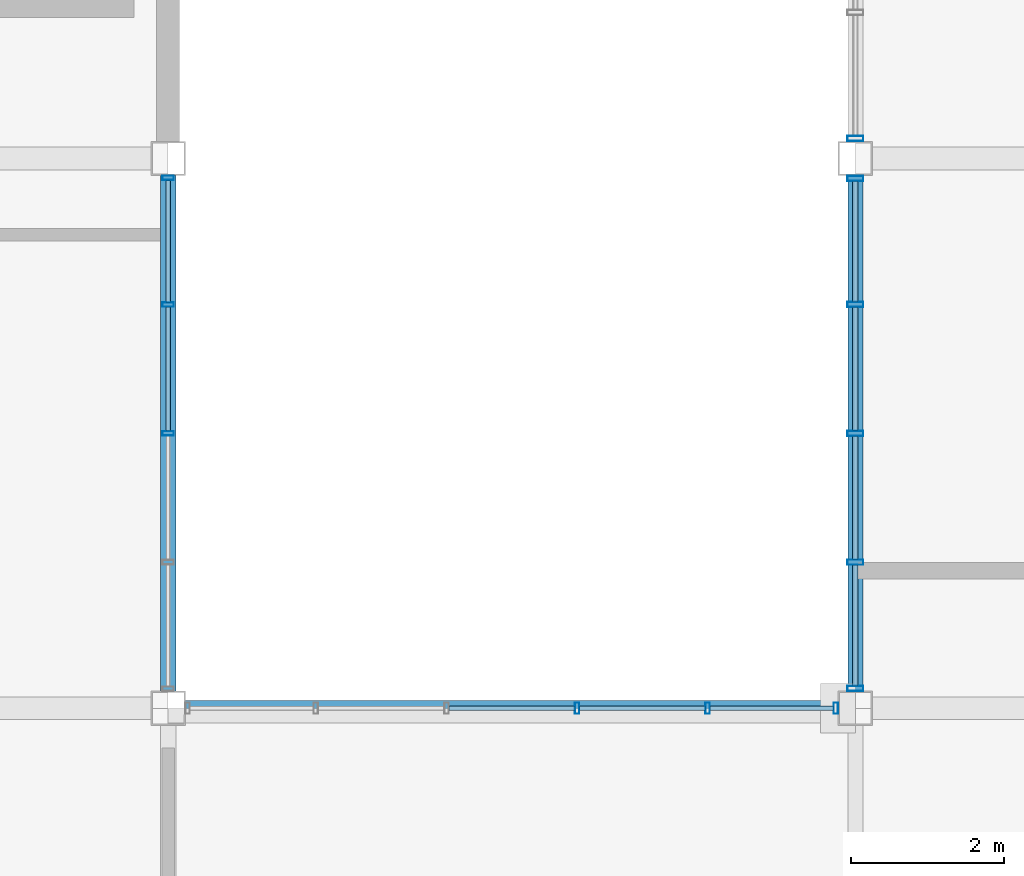
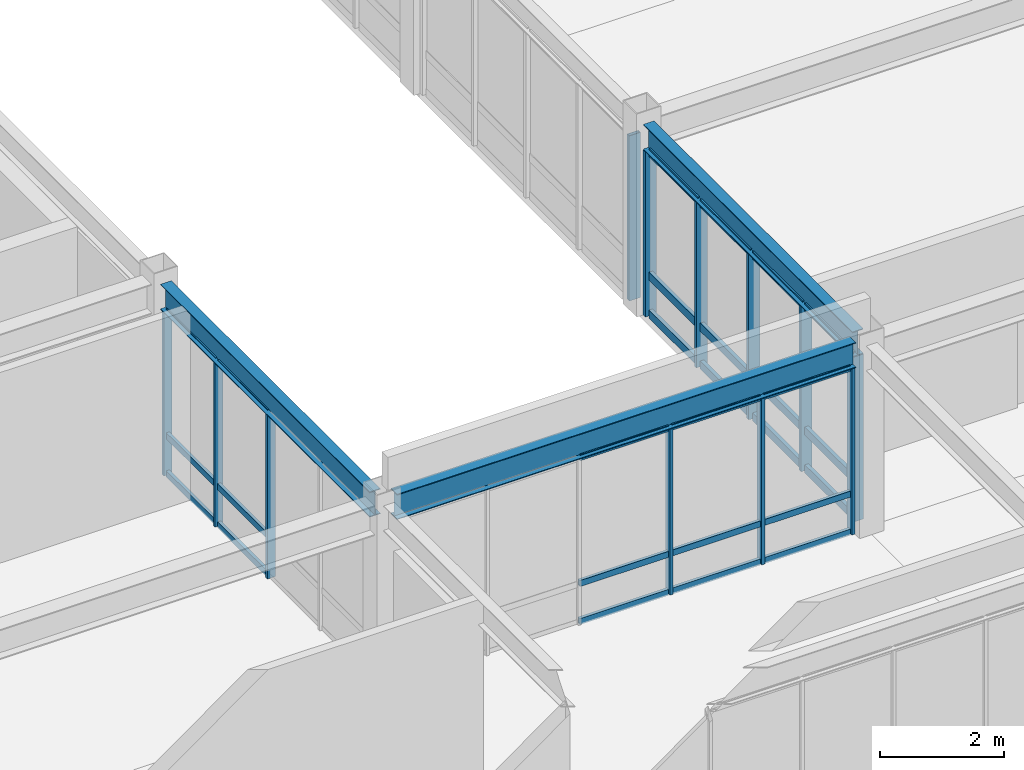
# One storey, part 60 of 122: 39 members, 3 beams, 4 elements without a shape of their own.
"""IFC4 building model written with IfcOpenShell, lengths in metres."""

from ifc_helpers import new_model, si_unit, direction, frame, origin, origin_2d, place, context, subcontext, project, spatial, hollow_rectangle, i_section, extrude, material, material_profile, profile_set, type_object, element, aggregate, save


model = new_model("IFC4")

# Units and contexts
model_context = context("Model", 3, precision=1e-05, world=origin(), true_north=direction((0.0, 1.0)))
body_context = subcontext(model_context, "Body", "Model", "MODEL_VIEW")
ifc_project = project(units=[si_unit("LENGTHUNIT", "METRE"), si_unit("AREAUNIT", "SQUARE_METRE"), si_unit("VOLUMEUNIT", "CUBIC_METRE"), si_unit("PLANEANGLEUNIT", "RADIAN"), si_unit("MASSUNIT", "GRAM", prefix="KILO")], contexts=[model_context])

# Site, building, storey
site_placement = place(None, origin())
site = spatial("IfcSite", under=ifc_project, at=site_placement, CompositionType="ELEMENT")
building_placement = place(site_placement, origin())
building = spatial("IfcBuilding", under=site, at=building_placement, Name="Kazanami Central Library", CompositionType="ELEMENT")
storey_placement = place(building_placement, frame((0.0, 0.0, 4.800048828125)))
storey = spatial("IfcBuildingStorey", under=building, at=storey_placement, Name="L02", CompositionType="ELEMENT", Elevation=4.800048828125)

# Beams
ifc_material_1 = material(Name="Steel SN490B (325 MPa)", Category="steel")
ifc_material_profile_1 = material_profile(ifc_material_1, i_section(OverallWidth=0.199951171875, OverallDepth=0.5, WebThickness=0.010009765625, FlangeThickness=0.01611328125, at=origin_2d()), Name="H-500x200x10x16")
ifc_profile_set_1 = profile_set([ifc_material_profile_1], Name="Steel SN490B (325 MPa)")
beam_type = type_object("IfcBeamType", Name="BM-SP-1", PredefinedType="SPANDREL", material=ifc_profile_set_1)
beam_placement = place(storey_placement, frame((36.222900390625, 72.0, 3.5400390625), z_axis=(1.0, 0.0, 0.0), x_axis=(0.0, 1.0, 0.0)))
element("IfcBeam", 1, at=beam_placement, inside=storey, type_object=beam_type, Name="Covered Link Bridge Girder SP-1 L02 L/5-6", PredefinedType="SPANDREL", context=body_context, shape_type="SweptSolid", body=[
    extrude(i_section(OverallWidth=0.199951171875, OverallDepth=0.5, WebThickness=0.010009765625, FlangeThickness=0.01611328125, at=origin_2d()), origin(), (0.0, 0.0, 1.0), 8.55419921875),
])
for number, where, z_axis, x_axis, name in (
    (2, (36.0, 72.222900390625, 3.5048828125), (0.0, 1.0, 0.0), (-1.0, 0.0, 0.0), "Girder SP-1 L02 5/L-M"),
    (3, (45.0, 72.222900390625, 3.5048828125), (0.0, 1.0, 0.0), (-1.0, 0.0, 0.0), "Girder SP-1 L02 6/L-M"),
):
    element("IfcBeam", number, at=place(storey_placement, frame(where, z_axis=z_axis, x_axis=x_axis)), inside=storey, type_object=beam_type, Name=name, PredefinedType="SPANDREL", context=body_context, shape_type="SweptSolid", body=[
        extrude(i_section(OverallWidth=0.199951171875, OverallDepth=0.5, WebThickness=0.010009765625, FlangeThickness=0.01611328125, at=origin_2d()), origin(), (0.0, 0.0, 1.0), 6.754150390625),
    ])

# Curtain wall, members
ifc_material_2 = material(Name="Acid-Etched Low-E Laminated Glass", Category="glass")
curtain_wall_type_1 = type_object("IfcCurtainWallType", Name="CW-6750x3255-M180", PredefinedType="USERDEFINED", material=ifc_material_2)
curtain_wall_1_placement = place(storey_placement, origin())
curtain_wall_1 = element("IfcCurtainWall", 4, at=curtain_wall_1_placement, inside=storey, type_object=curtain_wall_type_1, Name="Covered Link Bridge Curtain Wall CW-21 L02 W-6-10", ObjectType="UNITISED CURTAIN WALL", PredefinedType="USERDEFINED")
ifc_material_3 = material(Name="Anodised Aluminium A6063-T5", Category="aluminium")
ifc_material_profile_2 = material_profile(ifc_material_3, hollow_rectangle(XDim=0.070068359375, YDim=0.2099609375, WallThickness=0.0048828125, at=origin_2d()), Name="ALU-MULL-70x210x5")
ifc_profile_set_2 = profile_set([ifc_material_profile_2], Name="Anodised Aluminium A6063-T5")
member_type_1 = type_object("IfcMemberType", Name="MEM-CW-M1", PredefinedType="MULLION", material=ifc_profile_set_2)
member_1_placement = place(storey_placement, frame((45.0, 72.260009765625, 0.0), z_axis=(0.0, 0.0, 1.0), x_axis=(0.0, 1.0, 0.0)))
member_1 = element("IfcMember", 5, at=member_1_placement, type_object=member_type_1, Name="CW-21 mullion 1", PredefinedType="MULLION", context=body_context, shape_type="SweptSolid", body=[
    extrude(hollow_rectangle(XDim=0.070068359375, YDim=0.2099609375, WallThickness=0.0048828125, at=origin_2d()), origin(), (0.0, 0.0, 1.0), 3.2548828125),
])
member_2_placement = place(storey_placement, frame((45.0, 73.91259765625, 0.0), z_axis=(0.0, 0.0, 1.0), x_axis=(0.0, 1.0, 0.0)))
member_2 = element("IfcMember", 6, at=member_2_placement, type_object=member_type_1, Name="CW-21 mullion 2", PredefinedType="MULLION", context=body_context, shape_type="SweptSolid", body=[
    extrude(hollow_rectangle(XDim=0.070068359375, YDim=0.2099609375, WallThickness=0.0048828125, at=origin_2d()), origin(), (0.0, 0.0, 1.0), 3.2548828125),
])
member_3_placement = place(storey_placement, frame((45.0, 75.60009765625, 0.0), z_axis=(0.0, 0.0, 1.0), x_axis=(0.0, 1.0, 0.0)))
member_3 = element("IfcMember", 7, at=member_3_placement, type_object=member_type_1, Name="CW-21 mullion 3", PredefinedType="MULLION", context=body_context, shape_type="SweptSolid", body=[
    extrude(hollow_rectangle(XDim=0.070068359375, YDim=0.2099609375, WallThickness=0.0048828125, at=origin_2d()), origin(), (0.0, 0.0, 1.0), 3.2548828125),
])
member_4_placement = place(storey_placement, frame((45.0, 77.28759765625, 0.0), z_axis=(0.0, 0.0, 1.0), x_axis=(0.0, 1.0, 0.0)))
member_4 = element("IfcMember", 8, at=member_4_placement, type_object=member_type_1, Name="CW-21 mullion 4", PredefinedType="MULLION", context=body_context, shape_type="SweptSolid", body=[
    extrude(hollow_rectangle(XDim=0.070068359375, YDim=0.2099609375, WallThickness=0.0048828125, at=origin_2d()), origin(), (0.0, 0.0, 1.0), 3.2548828125),
])
member_5_placement = place(storey_placement, frame((45.0, 78.93994140625, 0.0), z_axis=(0.0, 0.0, 1.0), x_axis=(0.0, 1.0, 0.0)))
member_5 = element("IfcMember", 9, at=member_5_placement, type_object=member_type_1, Name="CW-21 mullion 5", PredefinedType="MULLION", context=body_context, shape_type="SweptSolid", body=[
    extrude(hollow_rectangle(XDim=0.070068359375, YDim=0.2099609375, WallThickness=0.0048828125, at=origin_2d()), origin(), (0.0, 0.0, 1.0), 3.2548828125),
])

# Curtain wall, member
curtain_wall_2_placement = place(storey_placement, origin())
curtain_wall_2 = element("IfcCurtainWall", 10, at=curtain_wall_2_placement, inside=storey, type_object=curtain_wall_type_1, Name="Covered Link Bridge Curtain Wall CW-21 L02 W-6-11", ObjectType="UNITISED CURTAIN WALL", PredefinedType="USERDEFINED")
member_6_placement = place(storey_placement, frame((45.0, 79.4599609375, 0.0), z_axis=(0.0, 0.0, 1.0), x_axis=(0.0, 1.0, 0.0)))
member_6 = element("IfcMember", 11, at=member_6_placement, type_object=member_type_1, Name="CW-21 mullion 1", PredefinedType="MULLION", context=body_context, shape_type="SweptSolid", body=[
    extrude(hollow_rectangle(XDim=0.070068359375, YDim=0.2099609375, WallThickness=0.0048828125, at=origin_2d()), origin(), (0.0, 0.0, 1.0), 3.2548828125),
])
aggregate(curtain_wall_2, [member_6])

# Curtain wall, members
curtain_wall_type_2 = type_object("IfcCurtainWallType", Name="CW-8550x3290-M180", PredefinedType="USERDEFINED", material=ifc_material_2)
curtain_wall_3_placement = place(storey_placement, origin())
curtain_wall_3 = element("IfcCurtainWall", 12, at=curtain_wall_3_placement, inside=storey, type_object=curtain_wall_type_2, Name="Covered Link Bridge Curtain Wall CW-12 L02 N-L-04", ObjectType="UNITISED CURTAIN WALL", PredefinedType="USERDEFINED")
ifc_material_profile_3 = material_profile(ifc_material_3, hollow_rectangle(XDim=0.06005859375, YDim=0.14990234375, WallThickness=0.00390625, at=origin_2d()), Name="ALU-MULL-60x150x4")
ifc_profile_set_3 = profile_set([ifc_material_profile_3], Name="Anodised Aluminium A6063-T5")
member_type_2 = type_object("IfcMemberType", Name="MEM-CW-M3", PredefinedType="MULLION", material=ifc_profile_set_3)
member_7_placement = place(storey_placement, frame((44.7451171875, 72.0, 0.0), z_axis=(0.0, 0.0, 1.0), x_axis=(-1.0, 0.0, 0.0)))
member_7 = element("IfcMember", 13, at=member_7_placement, type_object=member_type_2, Name="CW-12 mullion 1", PredefinedType="MULLION", context=body_context, shape_type="SweptSolid", body=[
    extrude(hollow_rectangle(XDim=0.06005859375, YDim=0.14990234375, WallThickness=0.00390625, at=origin_2d()), origin(), (0.0, 0.0, 1.0), 3.2900390625),
])
member_8_placement = place(storey_placement, frame((43.06494140625, 72.0, 0.0), z_axis=(0.0, 0.0, 1.0), x_axis=(-1.0, 0.0, 0.0)))
member_8 = element("IfcMember", 14, at=member_8_placement, type_object=member_type_2, Name="CW-12 mullion 2", PredefinedType="MULLION", context=body_context, shape_type="SweptSolid", body=[
    extrude(hollow_rectangle(XDim=0.06005859375, YDim=0.14990234375, WallThickness=0.00390625, at=origin_2d()), origin(), (0.0, 0.0, 1.0), 3.2900390625),
])
member_9_placement = place(storey_placement, frame((41.35498046875, 72.0, 0.0), z_axis=(0.0, 0.0, 1.0), x_axis=(-1.0, 0.0, 0.0)))
member_9 = element("IfcMember", 15, at=member_9_placement, type_object=member_type_2, Name="CW-12 mullion 3", PredefinedType="MULLION", context=body_context, shape_type="SweptSolid", body=[
    extrude(hollow_rectangle(XDim=0.06005859375, YDim=0.14990234375, WallThickness=0.00390625, at=origin_2d()), origin(), (0.0, 0.0, 1.0), 3.2900390625),
])

curtain_wall_4_placement = place(storey_placement, origin())
curtain_wall_4 = element("IfcCurtainWall", 16, at=curtain_wall_4_placement, inside=storey, type_object=curtain_wall_type_1, Name="Covered Link Bridge Curtain Wall CW-21 L02 E-5-10", ObjectType="UNITISED CURTAIN WALL", PredefinedType="USERDEFINED")
member_10_placement = place(storey_placement, frame((36.0, 78.945068359375, 0.0), z_axis=(0.0, 0.0, 1.0), x_axis=(0.0, -1.0, 0.0)))
member_10 = element("IfcMember", 17, at=member_10_placement, type_object=member_type_2, Name="CW-21 mullion 1", PredefinedType="MULLION", context=body_context, shape_type="SweptSolid", body=[
    extrude(hollow_rectangle(XDim=0.06005859375, YDim=0.14990234375, WallThickness=0.00390625, at=origin_2d()), origin(), (0.0, 0.0, 1.0), 3.2548828125),
])
member_11_placement = place(storey_placement, frame((36.0, 77.28759765625, 0.0), z_axis=(0.0, 0.0, 1.0), x_axis=(0.0, -1.0, 0.0)))
member_11 = element("IfcMember", 18, at=member_11_placement, type_object=member_type_2, Name="CW-21 mullion 2", PredefinedType="MULLION", context=body_context, shape_type="SweptSolid", body=[
    extrude(hollow_rectangle(XDim=0.06005859375, YDim=0.14990234375, WallThickness=0.00390625, at=origin_2d()), origin(), (0.0, 0.0, 1.0), 3.2548828125),
])
member_12_placement = place(storey_placement, frame((36.0, 75.60009765625, 0.0), z_axis=(0.0, 0.0, 1.0), x_axis=(0.0, -1.0, 0.0)))
member_12 = element("IfcMember", 19, at=member_12_placement, type_object=member_type_2, Name="CW-21 mullion 3", PredefinedType="MULLION", context=body_context, shape_type="SweptSolid", body=[
    extrude(hollow_rectangle(XDim=0.06005859375, YDim=0.14990234375, WallThickness=0.00390625, at=origin_2d()), origin(), (0.0, 0.0, 1.0), 3.2548828125),
])

# Member
ifc_material_profile_4 = material_profile(ifc_material_3, hollow_rectangle(XDim=0.070068359375, YDim=0.159912109375, WallThickness=0.00390625, at=origin_2d()), Name="ALU-TRAN-70x160x4")
ifc_profile_set_4 = profile_set([ifc_material_profile_4], Name="Anodised Aluminium A6063-T5")
member_type_3 = type_object("IfcMemberType", Name="MEM-CW-T1", PredefinedType="USERDEFINED", material=ifc_profile_set_4)
member_13_placement = place(storey_placement, frame((45.0, 72.294921875, 0.034912109375), z_axis=(0.0, 1.0, 0.0), x_axis=(-1.0, 0.0, 0.0)))
member_13 = element("IfcMember", 20, at=member_13_placement, type_object=member_type_3, Name="CW-21 transom 1.1", ObjectType="TRANSOM", PredefinedType="USERDEFINED", context=body_context, shape_type="SweptSolid", body=[
    extrude(hollow_rectangle(XDim=0.070068359375, YDim=0.159912109375, WallThickness=0.00390625, at=origin_2d()), origin(), (0.0, 0.0, 1.0), 1.58251953125),
])

member_14_placement = place(storey_placement, frame((45.0, 72.294921875, 0.780029296875), z_axis=(0.0, 1.0, 0.0), x_axis=(-1.0, 0.0, 0.0)))
member_14 = element("IfcMember", 21, at=member_14_placement, type_object=member_type_3, Name="CW-21 transom 1.2", ObjectType="TRANSOM", PredefinedType="USERDEFINED", context=body_context, shape_type="SweptSolid", body=[
    extrude(hollow_rectangle(XDim=0.070068359375, YDim=0.159912109375, WallThickness=0.00390625, at=origin_2d()), origin(), (0.0, 0.0, 1.0), 1.58251953125),
])

member_15_placement = place(storey_placement, frame((45.0, 72.294921875, 3.219970703125), z_axis=(0.0, 1.0, 0.0), x_axis=(-1.0, 0.0, 0.0)))
member_15 = element("IfcMember", 22, at=member_15_placement, type_object=member_type_3, Name="CW-21 transom 1.3", ObjectType="TRANSOM", PredefinedType="USERDEFINED", context=body_context, shape_type="SweptSolid", body=[
    extrude(hollow_rectangle(XDim=0.070068359375, YDim=0.159912109375, WallThickness=0.00390625, at=origin_2d()), origin(), (0.0, 0.0, 1.0), 1.58251953125),
])

member_16_placement = place(storey_placement, frame((45.0, 73.947509765625, 0.034912109375), z_axis=(0.0, 1.0, 0.0), x_axis=(-1.0, 0.0, 0.0)))
member_16 = element("IfcMember", 23, at=member_16_placement, type_object=member_type_3, Name="CW-21 transom 2.1", ObjectType="TRANSOM", PredefinedType="USERDEFINED", context=body_context, shape_type="SweptSolid", body=[
    extrude(hollow_rectangle(XDim=0.070068359375, YDim=0.159912109375, WallThickness=0.00390625, at=origin_2d()), origin(), (0.0, 0.0, 1.0), 1.617431640625),
])

member_17_placement = place(storey_placement, frame((45.0, 73.947509765625, 0.780029296875), z_axis=(0.0, 1.0, 0.0), x_axis=(-1.0, 0.0, 0.0)))
member_17 = element("IfcMember", 24, at=member_17_placement, type_object=member_type_3, Name="CW-21 transom 2.2", ObjectType="TRANSOM", PredefinedType="USERDEFINED", context=body_context, shape_type="SweptSolid", body=[
    extrude(hollow_rectangle(XDim=0.070068359375, YDim=0.159912109375, WallThickness=0.00390625, at=origin_2d()), origin(), (0.0, 0.0, 1.0), 1.617431640625),
])

member_18_placement = place(storey_placement, frame((45.0, 73.947509765625, 3.219970703125), z_axis=(0.0, 1.0, 0.0), x_axis=(-1.0, 0.0, 0.0)))
member_18 = element("IfcMember", 25, at=member_18_placement, type_object=member_type_3, Name="CW-21 transom 2.3", ObjectType="TRANSOM", PredefinedType="USERDEFINED", context=body_context, shape_type="SweptSolid", body=[
    extrude(hollow_rectangle(XDim=0.070068359375, YDim=0.159912109375, WallThickness=0.00390625, at=origin_2d()), origin(), (0.0, 0.0, 1.0), 1.617431640625),
])

member_19_placement = place(storey_placement, frame((45.0, 75.635009765625, 0.034912109375), z_axis=(0.0, 1.0, 0.0), x_axis=(-1.0, 0.0, 0.0)))
member_19 = element("IfcMember", 26, at=member_19_placement, type_object=member_type_3, Name="CW-21 transom 3.1", ObjectType="TRANSOM", PredefinedType="USERDEFINED", context=body_context, shape_type="SweptSolid", body=[
    extrude(hollow_rectangle(XDim=0.070068359375, YDim=0.159912109375, WallThickness=0.00390625, at=origin_2d()), origin(), (0.0, 0.0, 1.0), 1.617431640625),
])

member_20_placement = place(storey_placement, frame((45.0, 75.635009765625, 0.780029296875), z_axis=(0.0, 1.0, 0.0), x_axis=(-1.0, 0.0, 0.0)))
member_20 = element("IfcMember", 27, at=member_20_placement, type_object=member_type_3, Name="CW-21 transom 3.2", ObjectType="TRANSOM", PredefinedType="USERDEFINED", context=body_context, shape_type="SweptSolid", body=[
    extrude(hollow_rectangle(XDim=0.070068359375, YDim=0.159912109375, WallThickness=0.00390625, at=origin_2d()), origin(), (0.0, 0.0, 1.0), 1.617431640625),
])

member_21_placement = place(storey_placement, frame((45.0, 75.635009765625, 3.219970703125), z_axis=(0.0, 1.0, 0.0), x_axis=(-1.0, 0.0, 0.0)))
member_21 = element("IfcMember", 28, at=member_21_placement, type_object=member_type_3, Name="CW-21 transom 3.3", ObjectType="TRANSOM", PredefinedType="USERDEFINED", context=body_context, shape_type="SweptSolid", body=[
    extrude(hollow_rectangle(XDim=0.070068359375, YDim=0.159912109375, WallThickness=0.00390625, at=origin_2d()), origin(), (0.0, 0.0, 1.0), 1.617431640625),
])

member_22_placement = place(storey_placement, frame((45.0, 77.322509765625, 0.034912109375), z_axis=(0.0, 1.0, 0.0), x_axis=(-1.0, 0.0, 0.0)))
member_22 = element("IfcMember", 29, at=member_22_placement, type_object=member_type_3, Name="CW-21 transom 4.1", ObjectType="TRANSOM", PredefinedType="USERDEFINED", context=body_context, shape_type="SweptSolid", body=[
    extrude(hollow_rectangle(XDim=0.070068359375, YDim=0.159912109375, WallThickness=0.00390625, at=origin_2d()), origin(), (0.0, 0.0, 1.0), 1.58251953125),
])

member_23_placement = place(storey_placement, frame((45.0, 77.322509765625, 0.780029296875), z_axis=(0.0, 1.0, 0.0), x_axis=(-1.0, 0.0, 0.0)))
member_23 = element("IfcMember", 30, at=member_23_placement, type_object=member_type_3, Name="CW-21 transom 4.2", ObjectType="TRANSOM", PredefinedType="USERDEFINED", context=body_context, shape_type="SweptSolid", body=[
    extrude(hollow_rectangle(XDim=0.070068359375, YDim=0.159912109375, WallThickness=0.00390625, at=origin_2d()), origin(), (0.0, 0.0, 1.0), 1.58251953125),
])

member_24_placement = place(storey_placement, frame((45.0, 77.322509765625, 3.219970703125), z_axis=(0.0, 1.0, 0.0), x_axis=(-1.0, 0.0, 0.0)))
member_24 = element("IfcMember", 31, at=member_24_placement, type_object=member_type_3, Name="CW-21 transom 4.3", ObjectType="TRANSOM", PredefinedType="USERDEFINED", context=body_context, shape_type="SweptSolid", body=[
    extrude(hollow_rectangle(XDim=0.070068359375, YDim=0.159912109375, WallThickness=0.00390625, at=origin_2d()), origin(), (0.0, 0.0, 1.0), 1.58251953125),
])

aggregate(curtain_wall_1, [member_1, member_2, member_3, member_4, member_5, member_13, member_14, member_15, member_16, member_17, member_18, member_19, member_20, member_21, member_22, member_23, member_24])

ifc_material_profile_5 = material_profile(ifc_material_3, hollow_rectangle(XDim=0.06005859375, YDim=0.1201171875, WallThickness=0.00341796875, at=origin_2d()), Name="ALU-TRAN-60x120x3.5")
ifc_profile_set_5 = profile_set([ifc_material_profile_5], Name="Anodised Aluminium A6063-T5")
member_type_4 = type_object("IfcMemberType", Name="MEM-CW-T3", PredefinedType="USERDEFINED", material=ifc_profile_set_5)
member_25_placement = place(storey_placement, frame((44.715087890625, 72.0, 0.030029296875), z_axis=(-1.0, 0.0, 0.0), x_axis=(0.0, -1.0, 0.0)))
member_25 = element("IfcMember", 32, at=member_25_placement, type_object=member_type_4, Name="CW-12 transom 1.1", ObjectType="TRANSOM", PredefinedType="USERDEFINED", context=body_context, shape_type="SweptSolid", body=[
    extrude(hollow_rectangle(XDim=0.06005859375, YDim=0.1201171875, WallThickness=0.00341796875, at=origin_2d()), origin(), (0.0, 0.0, 1.0), 1.6201171875),
])

member_26_placement = place(storey_placement, frame((44.715087890625, 72.0, 0.780029296875), z_axis=(-1.0, 0.0, 0.0), x_axis=(0.0, -1.0, 0.0)))
member_26 = element("IfcMember", 33, at=member_26_placement, type_object=member_type_4, Name="CW-12 transom 1.2", ObjectType="TRANSOM", PredefinedType="USERDEFINED", context=body_context, shape_type="SweptSolid", body=[
    extrude(hollow_rectangle(XDim=0.06005859375, YDim=0.1201171875, WallThickness=0.00341796875, at=origin_2d()), origin(), (0.0, 0.0, 1.0), 1.6201171875),
])

member_27_placement = place(storey_placement, frame((44.715087890625, 72.0, 3.260009765625), z_axis=(-1.0, 0.0, 0.0), x_axis=(0.0, -1.0, 0.0)))
member_27 = element("IfcMember", 34, at=member_27_placement, type_object=member_type_4, Name="CW-12 transom 1.3", ObjectType="TRANSOM", PredefinedType="USERDEFINED", context=body_context, shape_type="SweptSolid", body=[
    extrude(hollow_rectangle(XDim=0.06005859375, YDim=0.1201171875, WallThickness=0.00341796875, at=origin_2d()), origin(), (0.0, 0.0, 1.0), 1.6201171875),
])

member_28_placement = place(storey_placement, frame((43.034912109375, 72.0, 0.030029296875), z_axis=(-1.0, 0.0, 0.0), x_axis=(0.0, -1.0, 0.0)))
member_28 = element("IfcMember", 35, at=member_28_placement, type_object=member_type_4, Name="CW-12 transom 2.1", ObjectType="TRANSOM", PredefinedType="USERDEFINED", context=body_context, shape_type="SweptSolid", body=[
    extrude(hollow_rectangle(XDim=0.06005859375, YDim=0.1201171875, WallThickness=0.00341796875, at=origin_2d()), origin(), (0.0, 0.0, 1.0), 1.64990234375),
])

member_29_placement = place(storey_placement, frame((43.034912109375, 72.0, 0.780029296875), z_axis=(-1.0, 0.0, 0.0), x_axis=(0.0, -1.0, 0.0)))
member_29 = element("IfcMember", 36, at=member_29_placement, type_object=member_type_4, Name="CW-12 transom 2.2", ObjectType="TRANSOM", PredefinedType="USERDEFINED", context=body_context, shape_type="SweptSolid", body=[
    extrude(hollow_rectangle(XDim=0.06005859375, YDim=0.1201171875, WallThickness=0.00341796875, at=origin_2d()), origin(), (0.0, 0.0, 1.0), 1.64990234375),
])

member_30_placement = place(storey_placement, frame((43.034912109375, 72.0, 3.260009765625), z_axis=(-1.0, 0.0, 0.0), x_axis=(0.0, -1.0, 0.0)))
member_30 = element("IfcMember", 37, at=member_30_placement, type_object=member_type_4, Name="CW-12 transom 2.3", ObjectType="TRANSOM", PredefinedType="USERDEFINED", context=body_context, shape_type="SweptSolid", body=[
    extrude(hollow_rectangle(XDim=0.06005859375, YDim=0.1201171875, WallThickness=0.00341796875, at=origin_2d()), origin(), (0.0, 0.0, 1.0), 1.64990234375),
])

member_31_placement = place(storey_placement, frame((41.324951171875, 72.0, 0.030029296875), z_axis=(-1.0, 0.0, 0.0), x_axis=(0.0, -1.0, 0.0)))
member_31 = element("IfcMember", 38, at=member_31_placement, type_object=member_type_4, Name="CW-12 transom 3.1", ObjectType="TRANSOM", PredefinedType="USERDEFINED", context=body_context, shape_type="SweptSolid", body=[
    extrude(hollow_rectangle(XDim=0.06005859375, YDim=0.1201171875, WallThickness=0.00341796875, at=origin_2d()), origin(), (0.0, 0.0, 1.0), 1.64990234375),
])

member_32_placement = place(storey_placement, frame((41.324951171875, 72.0, 0.780029296875), z_axis=(-1.0, 0.0, 0.0), x_axis=(0.0, -1.0, 0.0)))
member_32 = element("IfcMember", 39, at=member_32_placement, type_object=member_type_4, Name="CW-12 transom 3.2", ObjectType="TRANSOM", PredefinedType="USERDEFINED", context=body_context, shape_type="SweptSolid", body=[
    extrude(hollow_rectangle(XDim=0.06005859375, YDim=0.1201171875, WallThickness=0.00341796875, at=origin_2d()), origin(), (0.0, 0.0, 1.0), 1.64990234375),
])

member_33_placement = place(storey_placement, frame((41.324951171875, 72.0, 3.260009765625), z_axis=(-1.0, 0.0, 0.0), x_axis=(0.0, -1.0, 0.0)))
member_33 = element("IfcMember", 40, at=member_33_placement, type_object=member_type_4, Name="CW-12 transom 3.3", ObjectType="TRANSOM", PredefinedType="USERDEFINED", context=body_context, shape_type="SweptSolid", body=[
    extrude(hollow_rectangle(XDim=0.06005859375, YDim=0.1201171875, WallThickness=0.00341796875, at=origin_2d()), origin(), (0.0, 0.0, 1.0), 1.64990234375),
])

aggregate(curtain_wall_3, [member_7, member_8, member_9, member_25, member_26, member_27, member_28, member_29, member_30, member_31, member_32, member_33])

member_34_placement = place(storey_placement, frame((36.0, 78.9150390625, 0.030029296875), z_axis=(0.0, -1.0, 0.0), x_axis=(1.0, 0.0, 0.0)))
member_34 = element("IfcMember", 41, at=member_34_placement, type_object=member_type_4, Name="CW-21 transom 1.1", ObjectType="TRANSOM", PredefinedType="USERDEFINED", context=body_context, shape_type="SweptSolid", body=[
    extrude(hollow_rectangle(XDim=0.06005859375, YDim=0.1201171875, WallThickness=0.00341796875, at=origin_2d()), origin(), (0.0, 0.0, 1.0), 1.59765625),
])

member_35_placement = place(storey_placement, frame((36.0, 78.9150390625, 0.780029296875), z_axis=(0.0, -1.0, 0.0), x_axis=(1.0, 0.0, 0.0)))
member_35 = element("IfcMember", 42, at=member_35_placement, type_object=member_type_4, Name="CW-21 transom 1.2", ObjectType="TRANSOM", PredefinedType="USERDEFINED", context=body_context, shape_type="SweptSolid", body=[
    extrude(hollow_rectangle(XDim=0.06005859375, YDim=0.1201171875, WallThickness=0.00341796875, at=origin_2d()), origin(), (0.0, 0.0, 1.0), 1.59765625),
])

member_36_placement = place(storey_placement, frame((36.0, 78.9150390625, 3.224853515625), z_axis=(0.0, -1.0, 0.0), x_axis=(1.0, 0.0, 0.0)))
member_36 = element("IfcMember", 43, at=member_36_placement, type_object=member_type_4, Name="CW-21 transom 1.3", ObjectType="TRANSOM", PredefinedType="USERDEFINED", context=body_context, shape_type="SweptSolid", body=[
    extrude(hollow_rectangle(XDim=0.06005859375, YDim=0.1201171875, WallThickness=0.00341796875, at=origin_2d()), origin(), (0.0, 0.0, 1.0), 1.59765625),
])

member_37_placement = place(storey_placement, frame((36.0, 77.257568359375, 0.030029296875), z_axis=(0.0, -1.0, 0.0), x_axis=(1.0, 0.0, 0.0)))
member_37 = element("IfcMember", 44, at=member_37_placement, type_object=member_type_4, Name="CW-21 transom 2.1", ObjectType="TRANSOM", PredefinedType="USERDEFINED", context=body_context, shape_type="SweptSolid", body=[
    extrude(hollow_rectangle(XDim=0.06005859375, YDim=0.1201171875, WallThickness=0.00341796875, at=origin_2d()), origin(), (0.0, 0.0, 1.0), 1.627685546875),
])

member_38_placement = place(storey_placement, frame((36.0, 77.257568359375, 0.780029296875), z_axis=(0.0, -1.0, 0.0), x_axis=(1.0, 0.0, 0.0)))
member_38 = element("IfcMember", 45, at=member_38_placement, type_object=member_type_4, Name="CW-21 transom 2.2", ObjectType="TRANSOM", PredefinedType="USERDEFINED", context=body_context, shape_type="SweptSolid", body=[
    extrude(hollow_rectangle(XDim=0.06005859375, YDim=0.1201171875, WallThickness=0.00341796875, at=origin_2d()), origin(), (0.0, 0.0, 1.0), 1.627685546875),
])

member_39_placement = place(storey_placement, frame((36.0, 77.257568359375, 3.224853515625), z_axis=(0.0, -1.0, 0.0), x_axis=(1.0, 0.0, 0.0)))
member_39 = element("IfcMember", 46, at=member_39_placement, type_object=member_type_4, Name="CW-21 transom 2.3", ObjectType="TRANSOM", PredefinedType="USERDEFINED", context=body_context, shape_type="SweptSolid", body=[
    extrude(hollow_rectangle(XDim=0.06005859375, YDim=0.1201171875, WallThickness=0.00341796875, at=origin_2d()), origin(), (0.0, 0.0, 1.0), 1.627685546875),
])

aggregate(curtain_wall_4, [member_10, member_11, member_12, member_34, member_35, member_36, member_37, member_38, member_39])

save(model, "model.ifc")
